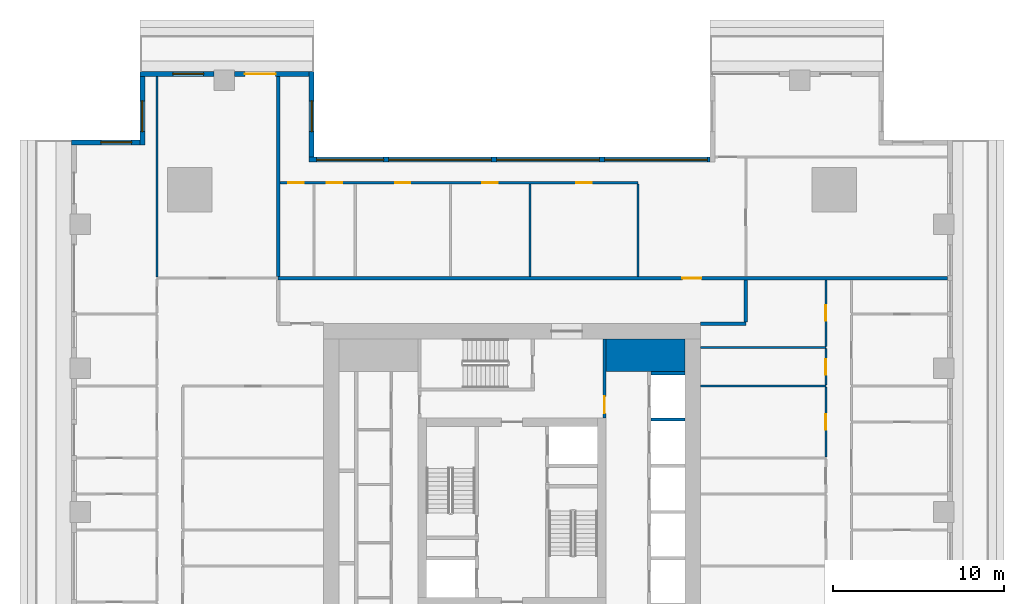
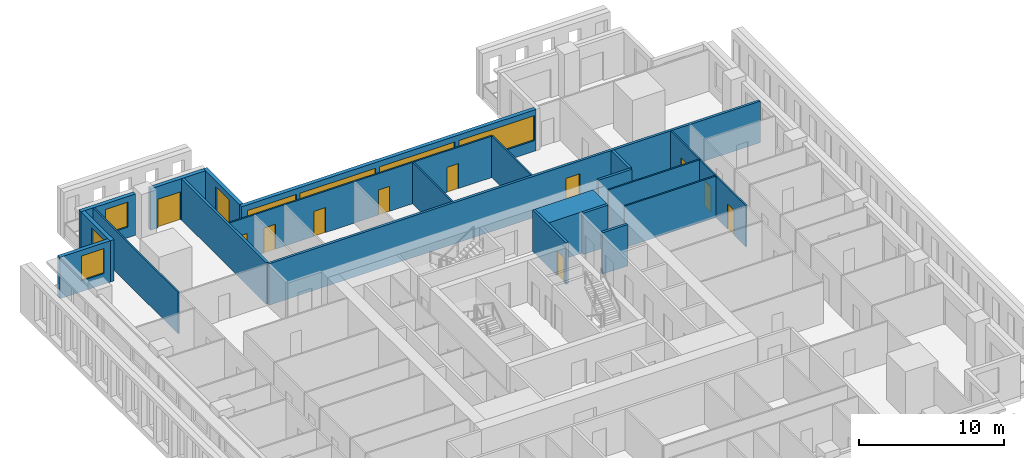
# One storey, part 8 of 16: 23 walls, 11 doors, 8 windows, 19 openings.
"""IFC4 building model written with IfcOpenShell, lengths in metres."""

from ifc_helpers import new_model, si_unit, direction, frame, frame_2d, origin, place, context, subcontext, project, spatial, rectangle, extrude, material, layer, layer_set, type_object, element, fill, save


model = new_model("IFC4")

# Units and contexts
model_context = context("Model", 3, precision=1e-05, world=origin(), true_north=direction((0.0, 1.0)))
body_context = subcontext(model_context, "Body", "Model", "MODEL_VIEW")
ifc_project = project(units=[si_unit("LENGTHUNIT", "METRE"), si_unit("AREAUNIT", "SQUARE_METRE"), si_unit("VOLUMEUNIT", "CUBIC_METRE"), si_unit("PLANEANGLEUNIT", "RADIAN"), si_unit("MASSUNIT", "GRAM", prefix="KILO")], contexts=[model_context])

# Site, building, storey
site_placement = place(None, origin())
site = spatial("IfcSite", under=ifc_project, at=site_placement, CompositionType="ELEMENT")
building_placement = place(site_placement, origin())
building = spatial("IfcBuilding", under=site, at=building_placement, Name="Khepri Terraces", CompositionType="ELEMENT")
storey_placement = place(building_placement, frame((0.0, 0.0, 168.89990234375)))
storey = spatial("IfcBuildingStorey", under=building, at=storey_placement, Name="L40", CompositionType="ELEMENT", Elevation=168.89990234375)

# Walls
ifc_material_1 = material(Name="Concrete C60/75", Category="concrete")
ifc_layer_1 = layer(ifc_material_1, 1.89990234375, Name="Concrete C60/75", Category="concrete")
ifc_layer_set_1 = layer_set([ifc_layer_1], Name="Concrete C60/75")
wall_type_1 = type_object("IfcWallType", Name="Core wall 1900 C60/75", PredefinedType="SHEAR", material=ifc_layer_set_1)
wall_1_placement = place(storey_placement, frame((5.5, 9.14990234375, 0.0), z_axis=(0.0, 0.0, 1.0), x_axis=(1.0, 0.0, 0.0)))
element("IfcWall", 1, at=wall_1_placement, inside=storey, type_object=wall_type_1, Name="Core wall PR04 L40", PredefinedType="SHEAR", context=body_context, shape_type="SweptSolid", body=[
    extrude(rectangle(XDim=4.60009765625, YDim=1.89990234375, at=frame_2d((2.300048828125, 0.0))), origin(), (0.0, 0.0, 1.0), 3.47998046875),
])
ifc_layer_2 = layer(ifc_material_1, 0.199951171875, Name="Concrete C60/75", Category="concrete")
ifc_layer_set_2 = layer_set([ifc_layer_2], Name="Concrete C60/75")
wall_type_2 = type_object("IfcWallType", Name="Core wall 200 C60/75", PredefinedType="SHEAR", material=ifc_layer_set_2)
for number, where, z_axis, x_axis, name in (
    (2, (8.10009765625, 5.39990234375, 0.0), (0.0, 0.0, 1.0), (1.0, 0.0, 0.0), "Core wall SH14 L40"),
    (3, (8.10009765625, 8.10009765625, 0.0), (0.0, 0.0, 1.0), (1.0, 0.0, 0.0), "Core wall SH15 L40"),
):
    element("IfcWall", number, at=place(storey_placement, frame(where, z_axis=z_axis, x_axis=x_axis)), inside=storey, type_object=wall_type_2, Name=name, PredefinedType="SHEAR", context=body_context, shape_type="SweptSolid", body=[
        extrude(rectangle(XDim=2.0, YDim=0.199951171875, at=frame_2d((1.0, 0.0))), origin(), (0.0, 0.0, 1.0), 3.47998046875),
    ])

# Wall, opening, door
ifc_material_2 = material(Name="Fire-rated gypsum board partition")
ifc_layer_3 = layer(ifc_material_2, 0.199951171875, Name="Fire-rated gypsum board partition")
ifc_layer_set_3 = layer_set([ifc_layer_3], Name="Fire-rated gypsum board partition")
wall_type_3 = type_object("IfcWallType", Name="WL-CORE-PART-200", PredefinedType="PARTITIONING", material=ifc_layer_set_3)
wall_2_placement = place(storey_placement, frame((5.39990234375, 5.5, 0.0), z_axis=(0.0, 0.0, 1.0), x_axis=(0.0, 1.0, 0.0)))
wall_2 = element("IfcWall", 4, at=wall_2_placement, inside=storey, type_object=wall_type_3, Name="Core partition PT13 L40", PredefinedType="PARTITIONING", context=body_context, shape_type="SweptSolid", body=[
    extrude(rectangle(XDim=4.60009765625, YDim=0.199951171875, at=frame_2d((2.300048828125, 0.0))), origin(), (0.0, 0.0, 1.0), 3.47998046875),
])
opening_1_placement = place(wall_2_placement, frame((0.25, 0.0, 0.0)))
opening_1 = element("IfcOpeningElement", 5, at=opening_1_placement, cuts=wall_2, Name="Opening L40-C17", PredefinedType="OPENING", context=body_context, shape_type="SweptSolid", body=[
    extrude(rectangle(XDim=1.0, YDim=2.10009765625, at=frame_2d((0.5, 1.050048828125))), frame((0.0, 0.10986328125, 0.0), z_axis=(0.0, -1.0, 0.0), x_axis=(1.0, 0.0, 0.0)), (0.0, 0.0, 1.0), 0.219970703125),
])
ifc_material_3 = material(Name="Painted steel", Category="steel")
door_type_1 = type_object("IfcDoorType", Name="DR-CORE-LOBBY-1000", OperationType="NOTDEFINED", PredefinedType="DOOR", material=ifc_material_3)
door_1_placement = place(opening_1_placement, origin())
door_1 = element("IfcDoor", 6, at=door_1_placement, inside=storey, type_object=door_type_1, Name="Lobby door L40-C17", OperationType="SINGLE_SWING_LEFT", OverallHeight=2.10009765625, OverallWidth=1.0, PredefinedType="DOOR", context=body_context, shape_type="SweptSolid", body=[
    extrude(rectangle(XDim=1.0, YDim=2.10009765625, at=frame_2d((0.5, 1.050048828125))), frame((0.0, 0.02490234375, 0.0), z_axis=(0.0, -1.0, 0.0), x_axis=(1.0, 0.0, 0.0)), (0.0, 0.0, 1.0), 0.050048828125),
])
fill(opening_1, door_1)

# Walls
ifc_material_4 = material(Name="Fire-rated gypsum plasterboard partition, mineral wool")
ifc_layer_4 = layer(ifc_material_4, 0.199951171875, Name="Fire-rated gypsum plasterboard partition, mineral wool")
ifc_layer_set_4 = layer_set([ifc_layer_4], Name="Fire-rated gypsum plasterboard partition, mineral wool")
wall_type_4 = type_object("IfcWallType", Name="WL-CORR-200", PredefinedType="PARTITIONING", material=ifc_layer_set_4)
wall_3_placement = place(storey_placement, frame((11.0, 11.0, 0.0), z_axis=(0.0, 0.0, 1.0), x_axis=(1.0, 0.0, 0.0)))
element("IfcWall", 7, at=wall_3_placement, inside=storey, type_object=wall_type_4, Name="Partition P-085 L40", PredefinedType="PARTITIONING", context=body_context, shape_type="SweptSolid", body=[
    extrude(rectangle(XDim=2.64990234375, YDim=0.199951171875, at=frame_2d((1.324951171875, 0.0))), origin(), (0.0, 0.0, 1.0), 3.47998046875),
])
wall_4_placement = place(storey_placement, frame((13.64990234375, 11.10009765625, 0.0), z_axis=(0.0, 0.0, 1.0), x_axis=(0.0, 1.0, 0.0)))
element("IfcWall", 8, at=wall_4_placement, inside=storey, type_object=wall_type_4, Name="Partition P-087 L40", PredefinedType="PARTITIONING", context=body_context, shape_type="SweptSolid", body=[
    extrude(rectangle(XDim=2.449951171875, YDim=0.199951171875, at=frame_2d((1.22509765625, 0.0))), origin(), (0.0, 0.0, 1.0), 3.47998046875),
])

# Wall, opening, door
wall_5_placement = place(storey_placement, frame((-13.64990234375, 13.64990234375, 0.0), z_axis=(0.0, 0.0, 1.0), x_axis=(1.0, 0.0, 0.0)))
wall_5 = element("IfcWall", 9, at=wall_5_placement, inside=storey, type_object=wall_type_4, Name="Partition P-093 L40", PredefinedType="PARTITIONING", context=body_context, shape_type="SweptSolid", body=[
    extrude(rectangle(XDim=39.06982421875, YDim=0.199951171875, at=frame_2d((19.534912109375, 0.0))), origin(), (0.0, 0.0, 1.0), 3.47998046875),
])
opening_2_placement = place(wall_5_placement, frame((23.60009765625, 0.0, 0.0)))
opening_2 = element("IfcOpeningElement", 10, at=opening_2_placement, cuts=wall_5, Name="Opening D1", PredefinedType="OPENING", context=body_context, shape_type="SweptSolid", body=[
    extrude(rectangle(XDim=1.10009765625, YDim=2.39990234375, at=frame_2d((0.550048828125, 1.199951171875))), frame((0.0, 0.10986328125, 0.0), z_axis=(0.0, -1.0, 0.0), x_axis=(1.0, 0.0, 0.0)), (0.0, 0.0, 1.0), 0.219970703125),
])
ifc_material_5 = material(Name="Solid-core timber door leaf, flat entrance door", Category="wood")
door_type_2 = type_object("IfcDoorType", Name="DR-ENT-1100", OperationType="NOTDEFINED", PredefinedType="DOOR", material=ifc_material_5)
door_2_placement = place(opening_2_placement, origin())
door_2 = element("IfcDoor", 11, at=door_2_placement, inside=storey, type_object=door_type_2, Name="Flat C1 entrance door", OperationType="SINGLE_SWING_RIGHT", OverallHeight=2.39990234375, OverallWidth=1.10009765625, PredefinedType="DOOR", context=body_context, shape_type="SweptSolid", body=[
    extrude(rectangle(XDim=1.10009765625, YDim=2.39990234375, at=frame_2d((0.550048828125, 1.199951171875))), frame((0.0, 0.02490234375, 0.0), z_axis=(0.0, -1.0, 0.0), x_axis=(1.0, 0.0, 0.0)), (0.0, 0.0, 1.0), 0.050048828125),
])
fill(opening_2, door_2)

# Wall
wall_6_placement = place(storey_placement, frame((-13.64990234375, 13.75, 0.0), z_axis=(0.0, 0.0, 1.0), x_axis=(0.0, 1.0, 0.0)))
element("IfcWall", 12, at=wall_6_placement, inside=storey, type_object=wall_type_4, Name="Partition P-095 L40", PredefinedType="PARTITIONING", context=body_context, shape_type="SweptSolid", body=[
    extrude(rectangle(XDim=11.669921875, YDim=0.199951171875, at=frame_2d((5.8349609375, 0.0))), origin(), (0.0, 0.0, 1.0), 3.47998046875),
])

# Wall, openings, windows
ifc_material_6 = material(Name="Precast concrete C50/60 warm stone", Category="masonry")
ifc_layer_5 = layer(ifc_material_6, 0.300048828125, Name="Precast concrete C50/60 warm stone", Category="masonry")
ifc_layer_set_5 = layer_set([ifc_layer_5], Name="Precast concrete C50/60 warm stone")
wall_type_5 = type_object("IfcWallType", Name="WL-EXT-PRECAST-300", PredefinedType="STANDARD", material=ifc_layer_set_5)
wall_7_placement = place(storey_placement, frame((11.550048828125, 20.570068359375, 0.0), z_axis=(0.0, 0.0, 1.0), x_axis=(-1.0, 0.0, 0.0)))
wall_7 = element("IfcWall", 13, at=wall_7_placement, inside=storey, type_object=wall_type_5, Name="External wall L40 N", PredefinedType="STANDARD", context=body_context, shape_type="SweptSolid", body=[
    extrude(rectangle(XDim=23.400146484375, YDim=0.300048828125, at=frame_2d((11.7001953125, 0.0))), origin(), (0.0, 0.0, 1.0), 3.47998046875),
])
opening_3_placement = place(wall_7_placement, frame((0.14990234375, 0.0, 0.89990234375)))
opening_3 = element("IfcOpeningElement", 14, at=opening_3_placement, cuts=wall_7, Name="Opening W3", PredefinedType="OPENING", context=body_context, shape_type="SweptSolid", body=[
    extrude(rectangle(XDim=6.0, YDim=2.10009765625, at=frame_2d((3.0, 1.050048828125))), frame((0.0, 0.16015625, 0.0), z_axis=(0.0, -1.0, 0.0), x_axis=(1.0, 0.0, 0.0)), (0.0, 0.0, 1.0), 0.320068359375),
])
opening_4_placement = place(wall_7_placement, frame((6.449951171875, 0.0, 0.89990234375)))
opening_4 = element("IfcOpeningElement", 15, at=opening_4_placement, cuts=wall_7, Name="Opening W3", PredefinedType="OPENING", context=body_context, shape_type="SweptSolid", body=[
    extrude(rectangle(XDim=6.0, YDim=2.10009765625, at=frame_2d((3.0, 1.050048828125))), frame((0.0, 0.16015625, 0.0), z_axis=(0.0, -1.0, 0.0), x_axis=(1.0, 0.0, 0.0)), (0.0, 0.0, 1.0), 0.320068359375),
])
opening_5_placement = place(wall_7_placement, frame((12.75, 0.0, 0.89990234375)))
opening_5 = element("IfcOpeningElement", 16, at=opening_5_placement, cuts=wall_7, Name="Opening W3", PredefinedType="OPENING", context=body_context, shape_type="SweptSolid", body=[
    extrude(rectangle(XDim=6.0, YDim=2.10009765625, at=frame_2d((3.0, 1.050048828125))), frame((0.0, 0.16015625, 0.0), z_axis=(0.0, -1.0, 0.0), x_axis=(1.0, 0.0, 0.0)), (0.0, 0.0, 1.0), 0.320068359375),
])
opening_6_placement = place(wall_7_placement, frame((19.050048828125, 0.0, 0.89990234375)))
opening_6 = element("IfcOpeningElement", 17, at=opening_6_placement, cuts=wall_7, Name="Opening W2", PredefinedType="OPENING", context=body_context, shape_type="SweptSolid", body=[
    extrude(rectangle(XDim=3.89990234375, YDim=2.10009765625, at=frame_2d((1.949951171875, 1.050048828125))), frame((0.0, 0.16015625, 0.0), z_axis=(0.0, -1.0, 0.0), x_axis=(1.0, 0.0, 0.0)), (0.0, 0.0, 1.0), 0.320068359375),
])
ifc_material_7 = material(Name="Clear glass", Category="glass")
window_type_1 = type_object("IfcWindowType", Name="WIN-RES-3900x2100", PartitioningType="SINGLE_PANEL", PredefinedType="WINDOW", material=ifc_material_7)
window_1_placement = place(opening_6_placement, origin())
window_1 = element("IfcWindow", 18, at=window_1_placement, inside=storey, type_object=window_type_1, Name="Window L40 N", OverallHeight=2.10009765625, OverallWidth=3.89990234375, PartitioningType="SINGLE_PANEL", PredefinedType="WINDOW", context=body_context, shape_type="SweptSolid", body=[
    extrude(rectangle(XDim=3.89990234375, YDim=2.10009765625, at=frame_2d((1.949951171875, 1.050048828125))), frame((0.0, 0.030029296875, 0.0), z_axis=(0.0, -1.0, 0.0), x_axis=(1.0, 0.0, 0.0)), (0.0, 0.0, 1.0), 0.06005859375),
])
fill(opening_6, window_1)
window_type_2 = type_object("IfcWindowType", Name="WIN-RES-6000x2100", PartitioningType="SINGLE_PANEL", PredefinedType="WINDOW", material=ifc_material_7)
window_2_placement = place(opening_3_placement, origin())
window_2 = element("IfcWindow", 19, at=window_2_placement, inside=storey, type_object=window_type_2, Name="Window L40 N", OverallHeight=2.10009765625, OverallWidth=6.0, PartitioningType="SINGLE_PANEL", PredefinedType="WINDOW", context=body_context, shape_type="SweptSolid", body=[
    extrude(rectangle(XDim=6.0, YDim=2.10009765625, at=frame_2d((3.0, 1.050048828125))), frame((0.0, 0.030029296875, 0.0), z_axis=(0.0, -1.0, 0.0), x_axis=(1.0, 0.0, 0.0)), (0.0, 0.0, 1.0), 0.06005859375),
])
fill(opening_3, window_2)
window_3_placement = place(opening_4_placement, origin())
window_3 = element("IfcWindow", 20, at=window_3_placement, inside=storey, type_object=window_type_2, Name="Window L40 N", OverallHeight=2.10009765625, OverallWidth=6.0, PartitioningType="SINGLE_PANEL", PredefinedType="WINDOW", context=body_context, shape_type="SweptSolid", body=[
    extrude(rectangle(XDim=6.0, YDim=2.10009765625, at=frame_2d((3.0, 1.050048828125))), frame((0.0, 0.030029296875, 0.0), z_axis=(0.0, -1.0, 0.0), x_axis=(1.0, 0.0, 0.0)), (0.0, 0.0, 1.0), 0.06005859375),
])
fill(opening_4, window_3)
window_4_placement = place(opening_5_placement, origin())
window_4 = element("IfcWindow", 21, at=window_4_placement, inside=storey, type_object=window_type_2, Name="Window L40 N", OverallHeight=2.10009765625, OverallWidth=6.0, PartitioningType="SINGLE_PANEL", PredefinedType="WINDOW", context=body_context, shape_type="SweptSolid", body=[
    extrude(rectangle(XDim=6.0, YDim=2.10009765625, at=frame_2d((3.0, 1.050048828125))), frame((0.0, 0.030029296875, 0.0), z_axis=(0.0, -1.0, 0.0), x_axis=(1.0, 0.0, 0.0)), (0.0, 0.0, 1.0), 0.06005859375),
])
fill(opening_5, window_4)

# Wall, opening, window
wall_8_placement = place(storey_placement, frame((-11.699951171875, 20.719970703125, 0.0), z_axis=(0.0, 0.0, 1.0), x_axis=(0.0, 1.0, 0.0)))
wall_8 = element("IfcWall", 22, at=wall_8_placement, inside=storey, type_object=wall_type_5, Name="External wall L40 E", PredefinedType="STANDARD", context=body_context, shape_type="SweptSolid", body=[
    extrude(rectangle(XDim=5.0, YDim=0.300048828125, at=frame_2d((2.5, 0.0))), origin(), (0.0, 0.0, 1.0), 3.47998046875),
])
opening_7_placement = place(wall_8_placement, frame((1.47998046875, 0.0, 0.89990234375)))
opening_7 = element("IfcOpeningElement", 23, at=opening_7_placement, cuts=wall_8, Name="Opening W1", PredefinedType="OPENING", context=body_context, shape_type="SweptSolid", body=[
    extrude(rectangle(XDim=1.800048828125, YDim=2.10009765625, at=frame_2d((0.89990234375, 1.050048828125))), frame((0.0, 0.16015625, 0.0), z_axis=(0.0, -1.0, 0.0), x_axis=(1.0, 0.0, 0.0)), (0.0, 0.0, 1.0), 0.320068359375),
])
window_type_3 = type_object("IfcWindowType", Name="WIN-RES-1800x2100", PartitioningType="SINGLE_PANEL", PredefinedType="WINDOW", material=ifc_material_7)
window_5_placement = place(opening_7_placement, origin())
window_5 = element("IfcWindow", 24, at=window_5_placement, inside=storey, type_object=window_type_3, Name="Window L40 E", OverallHeight=2.10009765625, OverallWidth=1.800048828125, PartitioningType="SINGLE_PANEL", PredefinedType="WINDOW", context=body_context, shape_type="SweptSolid", body=[
    extrude(rectangle(XDim=1.800048828125, YDim=2.10009765625, at=frame_2d((0.89990234375, 1.050048828125))), frame((0.0, 0.030029296875, 0.0), z_axis=(0.0, -1.0, 0.0), x_axis=(1.0, 0.0, 0.0)), (0.0, 0.0, 1.0), 0.06005859375),
])
fill(opening_7, window_5)

# Wall, opening, door
wall_9_placement = place(storey_placement, frame((-11.85009765625, 25.570068359375, 0.0), z_axis=(0.0, 0.0, 1.0), x_axis=(-1.0, 0.0, 0.0)))
wall_9 = element("IfcWall", 25, at=wall_9_placement, inside=storey, type_object=wall_type_5, Name="External wall L40 N", PredefinedType="STANDARD", context=body_context, shape_type="SweptSolid", body=[
    extrude(rectangle(XDim=4.349853515625, YDim=0.300048828125, at=frame_2d((2.1748046875, 0.0))), origin(), (0.0, 0.0, 1.0), 3.47998046875),
])
opening_8_placement = place(wall_9_placement, frame((1.949951171875, 0.0, 0.0)))
opening_8 = element("IfcOpeningElement", 26, at=opening_8_placement, cuts=wall_9, Name="Opening ED-L40-06", PredefinedType="OPENING", context=body_context, shape_type="SweptSolid", body=[
    extrude(rectangle(XDim=1.800048828125, YDim=2.39990234375, at=frame_2d((0.89990234375, 1.199951171875))), frame((0.0, 0.16015625, 0.0), z_axis=(0.0, -1.0, 0.0), x_axis=(1.0, 0.0, 0.0)), (0.0, 0.0, 1.0), 0.320068359375),
])
ifc_material_8 = material(Name="Anodised aluminium bronze glazed door", Category="aluminium")
door_type_3 = type_object("IfcDoorType", Name="DR-BAL-SLIDE-1800x2400", OperationType="NOTDEFINED", PredefinedType="DOOR", material=ifc_material_8)
door_3_placement = place(opening_8_placement, origin())
door_3 = element("IfcDoor", 27, at=door_3_placement, inside=storey, type_object=door_type_3, Name="Balcony door L40 N", OperationType="SLIDING_TO_RIGHT", OverallHeight=2.39990234375, OverallWidth=1.800048828125, PredefinedType="DOOR", context=body_context, shape_type="SweptSolid", body=[
    extrude(rectangle(XDim=1.800048828125, YDim=2.39990234375, at=frame_2d((0.89990234375, 1.199951171875))), frame((0.0, 0.02490234375, 0.0), z_axis=(0.0, -1.0, 0.0), x_axis=(1.0, 0.0, 0.0)), (0.0, 0.0, 1.0), 0.050048828125),
])
fill(opening_8, door_3)

# Wall, opening, window
wall_10_placement = place(storey_placement, frame((-17.39990234375, 25.570068359375, 0.0), z_axis=(0.0, 0.0, 1.0), x_axis=(-1.0, 0.0, 0.0)))
wall_10 = element("IfcWall", 28, at=wall_10_placement, inside=storey, type_object=wall_type_5, Name="External wall L40 N", PredefinedType="STANDARD", context=body_context, shape_type="SweptSolid", body=[
    extrude(rectangle(XDim=4.320068359375, YDim=0.300048828125, at=frame_2d((2.16015625, 0.0))), origin(), (0.0, 0.0, 1.0), 3.47998046875),
])
opening_9_placement = place(wall_10_placement, frame((0.60009765625, 0.0, 0.89990234375)))
opening_9 = element("IfcOpeningElement", 29, at=opening_9_placement, cuts=wall_10, Name="Opening W1", PredefinedType="OPENING", context=body_context, shape_type="SweptSolid", body=[
    extrude(rectangle(XDim=1.800048828125, YDim=2.10009765625, at=frame_2d((0.89990234375, 1.050048828125))), frame((0.0, 0.16015625, 0.0), z_axis=(0.0, -1.0, 0.0), x_axis=(1.0, 0.0, 0.0)), (0.0, 0.0, 1.0), 0.320068359375),
])
window_6_placement = place(opening_9_placement, origin())
window_6 = element("IfcWindow", 30, at=window_6_placement, inside=storey, type_object=window_type_3, Name="Window L40 N", OverallHeight=2.10009765625, OverallWidth=1.800048828125, PartitioningType="SINGLE_PANEL", PredefinedType="WINDOW", context=body_context, shape_type="SweptSolid", body=[
    extrude(rectangle(XDim=1.800048828125, YDim=2.10009765625, at=frame_2d((0.89990234375, 1.050048828125))), frame((0.0, 0.030029296875, 0.0), z_axis=(0.0, -1.0, 0.0), x_axis=(1.0, 0.0, 0.0)), (0.0, 0.0, 1.0), 0.06005859375),
])
fill(opening_9, window_6)

wall_11_placement = place(storey_placement, frame((-21.570068359375, 25.419921875, 0.0), z_axis=(0.0, 0.0, 1.0), x_axis=(0.0, -1.0, 0.0)))
wall_11 = element("IfcWall", 31, at=wall_11_placement, inside=storey, type_object=wall_type_5, Name="External wall L40 W", PredefinedType="STANDARD", context=body_context, shape_type="SweptSolid", body=[
    extrude(rectangle(XDim=4.0, YDim=0.300048828125, at=frame_2d((2.0, 0.0))), origin(), (0.0, 0.0, 1.0), 3.47998046875),
])
opening_10_placement = place(wall_11_placement, frame((1.419921875, 0.0, 0.89990234375)))
opening_10 = element("IfcOpeningElement", 32, at=opening_10_placement, cuts=wall_11, Name="Opening W1", PredefinedType="OPENING", context=body_context, shape_type="SweptSolid", body=[
    extrude(rectangle(XDim=1.800048828125, YDim=2.10009765625, at=frame_2d((0.89990234375, 1.050048828125))), frame((0.0, 0.16015625, 0.0), z_axis=(0.0, -1.0, 0.0), x_axis=(1.0, 0.0, 0.0)), (0.0, 0.0, 1.0), 0.320068359375),
])
window_7_placement = place(opening_10_placement, origin())
window_7 = element("IfcWindow", 33, at=window_7_placement, inside=storey, type_object=window_type_3, Name="Window L40 W", OverallHeight=2.10009765625, OverallWidth=1.800048828125, PartitioningType="SINGLE_PANEL", PredefinedType="WINDOW", context=body_context, shape_type="SweptSolid", body=[
    extrude(rectangle(XDim=1.800048828125, YDim=2.10009765625, at=frame_2d((0.89990234375, 1.050048828125))), frame((0.0, 0.030029296875, 0.0), z_axis=(0.0, -1.0, 0.0), x_axis=(1.0, 0.0, 0.0)), (0.0, 0.0, 1.0), 0.06005859375),
])
fill(opening_10, window_7)

wall_12_placement = place(storey_placement, frame((-21.719970703125, 21.570068359375, 0.0), z_axis=(0.0, 0.0, 1.0), x_axis=(-1.0, 0.0, 0.0)))
wall_12 = element("IfcWall", 34, at=wall_12_placement, inside=storey, type_object=wall_type_5, Name="External wall L40 N", PredefinedType="STANDARD", context=body_context, shape_type="SweptSolid", body=[
    extrude(rectangle(XDim=4.0, YDim=0.300048828125, at=frame_2d((2.0, 0.0))), origin(), (0.0, 0.0, 1.0), 3.47998046875),
])
opening_11_placement = place(wall_12_placement, frame((0.47998046875, 0.0, 0.89990234375)))
opening_11 = element("IfcOpeningElement", 35, at=opening_11_placement, cuts=wall_12, Name="Opening W1", PredefinedType="OPENING", context=body_context, shape_type="SweptSolid", body=[
    extrude(rectangle(XDim=1.800048828125, YDim=2.10009765625, at=frame_2d((0.89990234375, 1.050048828125))), frame((0.0, 0.16015625, 0.0), z_axis=(0.0, -1.0, 0.0), x_axis=(1.0, 0.0, 0.0)), (0.0, 0.0, 1.0), 0.320068359375),
])
window_8_placement = place(opening_11_placement, origin())
window_8 = element("IfcWindow", 36, at=window_8_placement, inside=storey, type_object=window_type_3, Name="Window L40 N", OverallHeight=2.10009765625, OverallWidth=1.800048828125, PartitioningType="SINGLE_PANEL", PredefinedType="WINDOW", context=body_context, shape_type="SweptSolid", body=[
    extrude(rectangle(XDim=1.800048828125, YDim=2.10009765625, at=frame_2d((0.89990234375, 1.050048828125))), frame((0.0, 0.030029296875, 0.0), z_axis=(0.0, -1.0, 0.0), x_axis=(1.0, 0.0, 0.0)), (0.0, 0.0, 1.0), 0.06005859375),
])
fill(opening_11, window_8)

# Wall, opening, door
ifc_material_9 = material(Name="Gypsum plasterboard partition")
ifc_layer_6 = layer(ifc_material_9, 0.1201171875, Name="Gypsum plasterboard partition")
ifc_layer_set_6 = layer_set([ifc_layer_6], Name="Gypsum plasterboard partition")
wall_type_6 = type_object("IfcWallType", Name="WL-PART-120", PredefinedType="PARTITIONING", material=ifc_layer_set_6)
wall_13_placement = place(storey_placement, frame((18.320068359375, 3.2099609375, 0.0), z_axis=(0.0, 0.0, 1.0), x_axis=(0.0, 1.0, 0.0)))
wall_13 = element("IfcWall", 37, at=wall_13_placement, inside=storey, type_object=wall_type_6, Name="Partition P-072 L40", PredefinedType="PARTITIONING", context=body_context, shape_type="SweptSolid", body=[
    extrude(rectangle(XDim=4.080078125, YDim=0.1201171875, at=frame_2d((2.0400390625, 0.0))), origin(), (0.0, 0.0, 1.0), 3.47998046875),
])
opening_12_placement = place(wall_13_placement, frame((1.590087890625, 0.0, 0.0)))
opening_12 = element("IfcOpeningElement", 38, at=opening_12_placement, cuts=wall_13, Name="Opening D3", PredefinedType="OPENING", context=body_context, shape_type="SweptSolid", body=[
    extrude(rectangle(XDim=0.89990234375, YDim=2.10009765625, at=frame_2d((0.449951171875, 1.050048828125))), frame((0.0, 0.070068359375, 0.0), z_axis=(0.0, -1.0, 0.0), x_axis=(1.0, 0.0, 0.0)), (0.0, 0.0, 1.0), 0.14013671875),
])
ifc_material_10 = material(Name="Timber door leaf", Category="wood")
door_type_4 = type_object("IfcDoorType", Name="DR-INT-900", OperationType="NOTDEFINED", PredefinedType="DOOR", material=ifc_material_10)
door_4_placement = place(opening_12_placement, origin())
door_4 = element("IfcDoor", 39, at=door_4_placement, inside=storey, type_object=door_type_4, Name="Door Utility Room", OperationType="SINGLE_SWING_RIGHT", OverallHeight=2.10009765625, OverallWidth=0.89990234375, PredefinedType="DOOR", context=body_context, shape_type="SweptSolid", body=[
    extrude(rectangle(XDim=0.89990234375, YDim=2.10009765625, at=frame_2d((0.449951171875, 1.050048828125))), frame((0.0, 0.02490234375, 0.0), z_axis=(0.0, -1.0, 0.0), x_axis=(1.0, 0.0, 0.0)), (0.0, 0.0, 1.0), 0.050048828125),
])
fill(opening_12, door_4)

# Wall
wall_14_placement = place(storey_placement, frame((11.0, 7.35009765625, 0.0), z_axis=(0.0, 0.0, 1.0), x_axis=(1.0, 0.0, 0.0)))
element("IfcWall", 40, at=wall_14_placement, inside=storey, type_object=wall_type_6, Name="Partition P-077 L40", PredefinedType="PARTITIONING", context=body_context, shape_type="SweptSolid", body=[
    extrude(rectangle(XDim=7.320068359375, YDim=0.1201171875, at=frame_2d((3.66015625, 0.0))), origin(), (0.0, 0.0, 1.0), 3.47998046875),
])

# Wall, opening, door
wall_15_placement = place(storey_placement, frame((18.320068359375, 7.409912109375, 0.0), z_axis=(0.0, 0.0, 1.0), x_axis=(0.0, 1.0, 0.0)))
wall_15 = element("IfcWall", 41, at=wall_15_placement, inside=storey, type_object=wall_type_6, Name="Partition P-080 L40", PredefinedType="PARTITIONING", context=body_context, shape_type="SweptSolid", body=[
    extrude(rectangle(XDim=2.130126953125, YDim=0.1201171875, at=frame_2d((1.06494140625, 0.0))), origin(), (0.0, 0.0, 1.0), 3.47998046875),
])
opening_13_placement = place(wall_15_placement, frame((0.614990234375, 0.0, 0.0)))
opening_13 = element("IfcOpeningElement", 42, at=opening_13_placement, cuts=wall_15, Name="Opening D4", PredefinedType="OPENING", context=body_context, shape_type="SweptSolid", body=[
    extrude(rectangle(XDim=0.89990234375, YDim=2.10009765625, at=frame_2d((0.449951171875, 1.050048828125))), frame((0.0, 0.070068359375, 0.0), z_axis=(0.0, -1.0, 0.0), x_axis=(1.0, 0.0, 0.0)), (0.0, 0.0, 1.0), 0.14013671875),
])
ifc_material_11 = material(Name="Timber door leaf, moisture resistant", Category="wood")
door_type_5 = type_object("IfcDoorType", Name="DR-WET-900", OperationType="NOTDEFINED", PredefinedType="DOOR", material=ifc_material_11)
door_5_placement = place(opening_13_placement, origin())
door_5 = element("IfcDoor", 43, at=door_5_placement, inside=storey, type_object=door_type_5, Name="Door Guest Bathroom", OperationType="SINGLE_SWING_RIGHT", OverallHeight=2.10009765625, OverallWidth=0.89990234375, PredefinedType="DOOR", context=body_context, shape_type="SweptSolid", body=[
    extrude(rectangle(XDim=0.89990234375, YDim=2.10009765625, at=frame_2d((0.449951171875, 1.050048828125))), frame((0.0, 0.02490234375, 0.0), z_axis=(0.0, -1.0, 0.0), x_axis=(1.0, 0.0, 0.0)), (0.0, 0.0, 1.0), 0.050048828125),
])
fill(opening_13, door_5)

# Wall
wall_16_placement = place(storey_placement, frame((11.0, 9.60009765625, 0.0), z_axis=(0.0, 0.0, 1.0), x_axis=(1.0, 0.0, 0.0)))
element("IfcWall", 44, at=wall_16_placement, inside=storey, type_object=wall_type_6, Name="Partition P-082 L40", PredefinedType="PARTITIONING", context=body_context, shape_type="SweptSolid", body=[
    extrude(rectangle(XDim=7.320068359375, YDim=0.1201171875, at=frame_2d((3.66015625, 0.0))), origin(), (0.0, 0.0, 1.0), 3.47998046875),
])

# Wall, opening, door
wall_17_placement = place(storey_placement, frame((18.320068359375, 9.659912109375, 0.0), z_axis=(0.0, 0.0, 1.0), x_axis=(0.0, 1.0, 0.0)))
wall_17 = element("IfcWall", 45, at=wall_17_placement, inside=storey, type_object=wall_type_6, Name="Partition P-083 L40", PredefinedType="PARTITIONING", context=body_context, shape_type="SweptSolid", body=[
    extrude(rectangle(XDim=3.89013671875, YDim=0.1201171875, at=frame_2d((1.945068359375, 0.0))), origin(), (0.0, 0.0, 1.0), 3.47998046875),
])
opening_14_placement = place(wall_17_placement, frame((1.514892578125, 0.0, 0.0)))
opening_14 = element("IfcOpeningElement", 46, at=opening_14_placement, cuts=wall_17, Name="Opening D3", PredefinedType="OPENING", context=body_context, shape_type="SweptSolid", body=[
    extrude(rectangle(XDim=0.89990234375, YDim=2.10009765625, at=frame_2d((0.449951171875, 1.050048828125))), frame((0.0, 0.070068359375, 0.0), z_axis=(0.0, -1.0, 0.0), x_axis=(1.0, 0.0, 0.0)), (0.0, 0.0, 1.0), 0.14013671875),
])
door_6_placement = place(opening_14_placement, origin())
door_6 = element("IfcDoor", 47, at=door_6_placement, inside=storey, type_object=door_type_4, Name="Door Library", OperationType="SINGLE_SWING_RIGHT", OverallHeight=2.10009765625, OverallWidth=0.89990234375, PredefinedType="DOOR", context=body_context, shape_type="SweptSolid", body=[
    extrude(rectangle(XDim=0.89990234375, YDim=2.10009765625, at=frame_2d((0.449951171875, 1.050048828125))), frame((0.0, 0.02490234375, 0.0), z_axis=(0.0, -1.0, 0.0), x_axis=(1.0, 0.0, 0.0)), (0.0, 0.0, 1.0), 0.050048828125),
])
fill(opening_14, door_6)

# Walls
wall_18_placement = place(storey_placement, frame((-20.719970703125, 13.7099609375, 0.0), z_axis=(0.0, 0.0, 1.0), x_axis=(0.0, 1.0, 0.0)))
element("IfcWall", 48, at=wall_18_placement, inside=storey, type_object=wall_type_6, Name="Partition P-094 L40", PredefinedType="PARTITIONING", context=body_context, shape_type="SweptSolid", body=[
    extrude(rectangle(XDim=11.7099609375, YDim=0.1201171875, at=frame_2d((5.85498046875, 0.0))), origin(), (0.0, 0.0, 1.0), 3.47998046875),
])
for number, where, z_axis, x_axis, name in (
    (49, (1.050048828125, 13.75, 0.0), (0.0, 0.0, 1.0), (0.0, 1.0, 0.0), "Partition P-099 L40"),
    (50, (7.35009765625, 13.75, 0.0), (0.0, 0.0, 1.0), (0.0, 1.0, 0.0), "Partition P-100 L40"),
):
    element("IfcWall", number, at=place(storey_placement, frame(where, z_axis=z_axis, x_axis=x_axis)), inside=storey, type_object=wall_type_6, Name=name, PredefinedType="PARTITIONING", context=body_context, shape_type="SweptSolid", body=[
        extrude(rectangle(XDim=5.409912109375, YDim=0.1201171875, at=frame_2d((2.705078125, 0.0))), origin(), (0.0, 0.0, 1.0), 3.47998046875),
    ])

# Wall, openings, doors
wall_19_placement = place(storey_placement, frame((-13.550048828125, 19.219970703125, 0.0), z_axis=(0.0, 0.0, 1.0), x_axis=(1.0, 0.0, 0.0)))
wall_19 = element("IfcWall", 51, at=wall_19_placement, inside=storey, type_object=wall_type_6, Name="Partition P-102 L40", PredefinedType="PARTITIONING", context=body_context, shape_type="SweptSolid", body=[
    extrude(rectangle(XDim=20.900146484375, YDim=0.1201171875, at=frame_2d((10.4501953125, 0.0))), origin(), (0.0, 0.0, 1.0), 3.47998046875),
])
opening_15_placement = place(wall_19_placement, frame((17.300048828125, 0.0, 0.0)))
opening_15 = element("IfcOpeningElement", 52, at=opening_15_placement, cuts=wall_19, Name="Opening D3", PredefinedType="OPENING", context=body_context, shape_type="SweptSolid", body=[
    extrude(rectangle(XDim=0.89990234375, YDim=2.10009765625, at=frame_2d((0.449951171875, 1.050048828125))), frame((0.0, 0.070068359375, 0.0), z_axis=(0.0, -1.0, 0.0), x_axis=(1.0, 0.0, 0.0)), (0.0, 0.0, 1.0), 0.14013671875),
])
opening_16_placement = place(wall_19_placement, frame((11.824951171875, 0.0, 0.0)))
opening_16 = element("IfcOpeningElement", 53, at=opening_16_placement, cuts=wall_19, Name="Opening D3", PredefinedType="OPENING", context=body_context, shape_type="SweptSolid", body=[
    extrude(rectangle(XDim=0.89990234375, YDim=2.10009765625, at=frame_2d((0.449951171875, 1.050048828125))), frame((0.0, 0.070068359375, 0.0), z_axis=(0.0, -1.0, 0.0), x_axis=(1.0, 0.0, 0.0)), (0.0, 0.0, 1.0), 0.14013671875),
])
opening_17_placement = place(wall_19_placement, frame((6.72509765625, 0.0, 0.0)))
opening_17 = element("IfcOpeningElement", 54, at=opening_17_placement, cuts=wall_19, Name="Opening D3", PredefinedType="OPENING", context=body_context, shape_type="SweptSolid", body=[
    extrude(rectangle(XDim=0.89990234375, YDim=2.10009765625, at=frame_2d((0.449951171875, 1.050048828125))), frame((0.0, 0.070068359375, 0.0), z_axis=(0.0, -1.0, 0.0), x_axis=(1.0, 0.0, 0.0)), (0.0, 0.0, 1.0), 0.14013671875),
])
opening_18_placement = place(wall_19_placement, frame((2.75, 0.0, 0.0)))
opening_18 = element("IfcOpeningElement", 55, at=opening_18_placement, cuts=wall_19, Name="Opening D4", PredefinedType="OPENING", context=body_context, shape_type="SweptSolid", body=[
    extrude(rectangle(XDim=0.89990234375, YDim=2.10009765625, at=frame_2d((0.449951171875, 1.050048828125))), frame((0.0, 0.070068359375, 0.0), z_axis=(0.0, -1.0, 0.0), x_axis=(1.0, 0.0, 0.0)), (0.0, 0.0, 1.0), 0.14013671875),
])
opening_19_placement = place(wall_19_placement, frame((0.5, 0.0, 0.0)))
opening_19 = element("IfcOpeningElement", 56, at=opening_19_placement, cuts=wall_19, Name="Opening D4", PredefinedType="OPENING", context=body_context, shape_type="SweptSolid", body=[
    extrude(rectangle(XDim=0.89990234375, YDim=2.10009765625, at=frame_2d((0.449951171875, 1.050048828125))), frame((0.0, 0.070068359375, 0.0), z_axis=(0.0, -1.0, 0.0), x_axis=(1.0, 0.0, 0.0)), (0.0, 0.0, 1.0), 0.14013671875),
])
door_7_placement = place(opening_15_placement, frame((0.89990234375, 0.0, 0.0), z_axis=(0.0, 0.0, 1.0), x_axis=(-1.0, 0.0, 0.0)))
door_7 = element("IfcDoor", 57, at=door_7_placement, inside=storey, type_object=door_type_4, Name="Door Kitchen", OperationType="SINGLE_SWING_LEFT", OverallHeight=2.10009765625, OverallWidth=0.89990234375, PredefinedType="DOOR", context=body_context, shape_type="SweptSolid", body=[
    extrude(rectangle(XDim=0.89990234375, YDim=2.10009765625, at=frame_2d((0.449951171875, 1.050048828125))), frame((0.0, 0.02490234375, 0.0), z_axis=(0.0, -1.0, 0.0), x_axis=(1.0, 0.0, 0.0)), (0.0, 0.0, 1.0), 0.050048828125),
])
fill(opening_15, door_7)
door_8_placement = place(opening_16_placement, frame((0.89990234375, 0.0, 0.0), z_axis=(0.0, 0.0, 1.0), x_axis=(-1.0, 0.0, 0.0)))
door_8 = element("IfcDoor", 58, at=door_8_placement, inside=storey, type_object=door_type_4, Name="Door Utility Room", OperationType="SINGLE_SWING_LEFT", OverallHeight=2.10009765625, OverallWidth=0.89990234375, PredefinedType="DOOR", context=body_context, shape_type="SweptSolid", body=[
    extrude(rectangle(XDim=0.89990234375, YDim=2.10009765625, at=frame_2d((0.449951171875, 1.050048828125))), frame((0.0, 0.02490234375, 0.0), z_axis=(0.0, -1.0, 0.0), x_axis=(1.0, 0.0, 0.0)), (0.0, 0.0, 1.0), 0.050048828125),
])
fill(opening_16, door_8)
door_9_placement = place(opening_17_placement, frame((0.89990234375, 0.0, 0.0), z_axis=(0.0, 0.0, 1.0), x_axis=(-1.0, 0.0, 0.0)))
door_9 = element("IfcDoor", 59, at=door_9_placement, inside=storey, type_object=door_type_4, Name="Door Staff Bedroom", OperationType="SINGLE_SWING_RIGHT", OverallHeight=2.10009765625, OverallWidth=0.89990234375, PredefinedType="DOOR", context=body_context, shape_type="SweptSolid", body=[
    extrude(rectangle(XDim=0.89990234375, YDim=2.10009765625, at=frame_2d((0.449951171875, 1.050048828125))), frame((0.0, 0.02490234375, 0.0), z_axis=(0.0, -1.0, 0.0), x_axis=(1.0, 0.0, 0.0)), (0.0, 0.0, 1.0), 0.050048828125),
])
fill(opening_17, door_9)
door_10_placement = place(opening_18_placement, frame((0.89990234375, 0.0, 0.0), z_axis=(0.0, 0.0, 1.0), x_axis=(-1.0, 0.0, 0.0)))
door_10 = element("IfcDoor", 60, at=door_10_placement, inside=storey, type_object=door_type_5, Name="Door Powder Room", OperationType="SINGLE_SWING_RIGHT", OverallHeight=2.10009765625, OverallWidth=0.89990234375, PredefinedType="DOOR", context=body_context, shape_type="SweptSolid", body=[
    extrude(rectangle(XDim=0.89990234375, YDim=2.10009765625, at=frame_2d((0.449951171875, 1.050048828125))), frame((0.0, 0.02490234375, 0.0), z_axis=(0.0, -1.0, 0.0), x_axis=(1.0, 0.0, 0.0)), (0.0, 0.0, 1.0), 0.050048828125),
])
fill(opening_18, door_10)
door_11_placement = place(opening_19_placement, frame((0.89990234375, 0.0, 0.0), z_axis=(0.0, 0.0, 1.0), x_axis=(-1.0, 0.0, 0.0)))
door_11 = element("IfcDoor", 61, at=door_11_placement, inside=storey, type_object=door_type_5, Name="Door Guest Bathroom", OperationType="SINGLE_SWING_RIGHT", OverallHeight=2.10009765625, OverallWidth=0.89990234375, PredefinedType="DOOR", context=body_context, shape_type="SweptSolid", body=[
    extrude(rectangle(XDim=0.89990234375, YDim=2.10009765625, at=frame_2d((0.449951171875, 1.050048828125))), frame((0.0, 0.02490234375, 0.0), z_axis=(0.0, -1.0, 0.0), x_axis=(1.0, 0.0, 0.0)), (0.0, 0.0, 1.0), 0.050048828125),
])
fill(opening_19, door_11)

save(model, "model.ifc")
